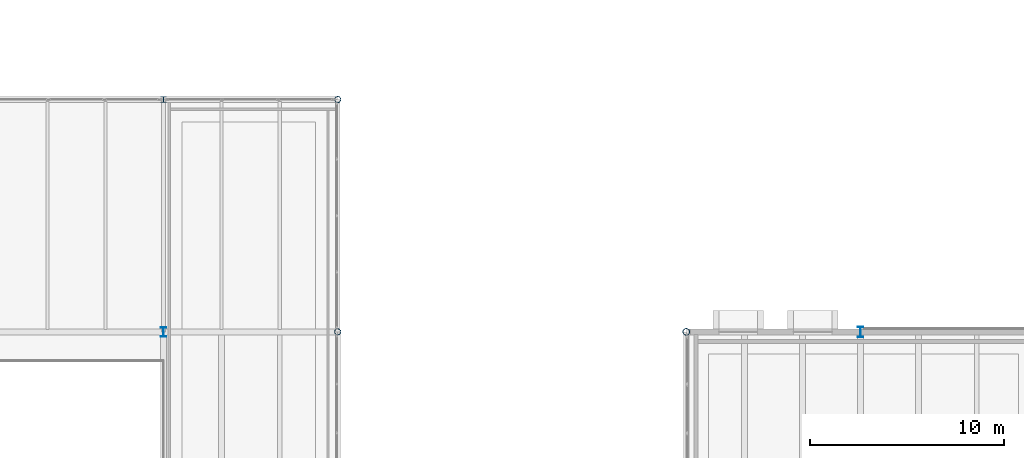
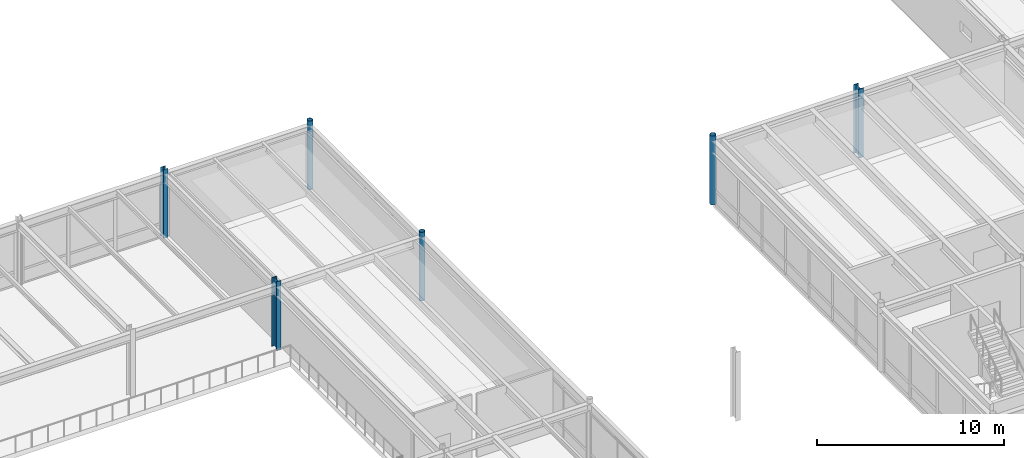
# One storey, part 14 of 127: 6 columns.
"""IFC4 building model written with IfcOpenShell, lengths in metres."""

from ifc_helpers import new_model, si_unit, direction, frame, origin, origin_2d, place, context, subcontext, project, spatial, hollow_circle, i_section, extrude, material, material_profile, profile_set, type_object, element, save


model = new_model("IFC4")

# Units and contexts
model_context = context("Model", 3, precision=1e-05, world=origin(), true_north=direction((0.0, 1.0)))
body_context = subcontext(model_context, "Body", "Model", "MODEL_VIEW")
ifc_project = project(units=[si_unit("LENGTHUNIT", "METRE"), si_unit("AREAUNIT", "SQUARE_METRE"), si_unit("VOLUMEUNIT", "CUBIC_METRE"), si_unit("PLANEANGLEUNIT", "RADIAN"), si_unit("MASSUNIT", "GRAM", prefix="KILO")], contexts=[model_context])

# Site, building, storey
site_placement = place(None, origin())
site = spatial("IfcSite", under=ifc_project, at=site_placement, CompositionType="ELEMENT")
building_placement = place(site_placement, origin())
building = spatial("IfcBuilding", under=site, at=building_placement, Name="Montelvaro Courts of Justice", CompositionType="ELEMENT")
storey_placement = place(building_placement, frame((0.0, 0.0, 5.39990234375)))
storey = spatial("IfcBuildingStorey", under=building, at=storey_placement, Name="L01", CompositionType="ELEMENT", Elevation=5.39990234375)

# Columns
ifc_material = material(Name="Steel S355", Category="steel")
ifc_material_profile_1 = material_profile(ifc_material, hollow_circle(Radius=0.161865234375, WallThickness=0.012451171875, at=origin_2d()), Name="CHS 323.9x12.5")
ifc_profile_set_1 = profile_set([ifc_material_profile_1], Name="Steel S355")
column_type_1 = type_object("IfcColumnType", Name="Col_CHS324", PredefinedType="PILASTER", material=ifc_profile_set_1)
for number, where, z_axis, x_axis, name in (
    (1, (81.0, 96.0, 0.0), (0.0, 0.0, 1.0), (1.0, 0.0, 0.0), "Column C-18 L01 10/H"),
    (2, (81.0, 108.0, 0.0), (0.0, 0.0, 1.0), (1.0, 0.0, 0.0), "Column C-18 L01 10/I"),
):
    element("IfcColumn", number, at=place(storey_placement, frame(where, z_axis=z_axis, x_axis=x_axis)), inside=storey, type_object=column_type_1, Name=name, PredefinedType="PILASTER", context=body_context, shape_type="SweptSolid", body=[
        extrude(hollow_circle(Radius=0.161865234375, WallThickness=0.012451171875, at=origin_2d()), origin(), (0.0, 0.0, 1.0), 4.5),
    ])
ifc_material_profile_2 = material_profile(ifc_material, hollow_circle(Radius=0.177734375, WallThickness=0.01611328125, at=origin_2d()), Name="CHS 355.6x16")
ifc_profile_set_2 = profile_set([ifc_material_profile_2], Name="Steel S355")
column_type_2 = type_object("IfcColumnType", Name="Col_CHS356", PredefinedType="PILASTER", material=ifc_profile_set_2)
column_1_placement = place(storey_placement, frame((99.0, 96.0, 0.0), z_axis=(0.0, 0.0, 1.0), x_axis=(1.0, 0.0, 0.0)))
element("IfcColumn", 3, at=column_1_placement, inside=storey, type_object=column_type_2, Name="Column C-19 L01 12/H", PredefinedType="PILASTER", context=body_context, shape_type="SweptSolid", body=[
    extrude(hollow_circle(Radius=0.177734375, WallThickness=0.01611328125, at=origin_2d()), origin(), (0.0, 0.0, 1.0), 4.5),
])
ifc_material_profile_3 = material_profile(ifc_material, i_section(OverallWidth=0.300048828125, OverallDepth=0.300048828125, WebThickness=0.010986328125, FlangeThickness=0.01904296875, at=origin_2d()), Name="HEB 300")
ifc_profile_set_3 = profile_set([ifc_material_profile_3], Name="Steel S355")
column_type_3 = type_object("IfcColumnType", Name="Col_HEB300", PredefinedType="COLUMN", material=ifc_profile_set_3)
column_2_placement = place(storey_placement, frame((72.0, 108.0, 0.0), z_axis=(0.0, 0.0, 1.0), x_axis=(1.0, 0.0, 0.0)))
element("IfcColumn", 4, at=column_2_placement, inside=storey, type_object=column_type_3, Name="Column C-03 L01 9/I", PredefinedType="COLUMN", context=body_context, shape_type="SweptSolid", body=[
    extrude(i_section(OverallWidth=0.300048828125, OverallDepth=0.300048828125, WebThickness=0.010986328125, FlangeThickness=0.01904296875, at=origin_2d()), origin(), (0.0, 0.0, 1.0), 4.5),
])
ifc_material_profile_4 = material_profile(ifc_material, i_section(OverallWidth=0.300048828125, OverallDepth=0.5, WebThickness=0.014404296875, FlangeThickness=0.028076171875, at=origin_2d()), Name="HEB 500")
ifc_profile_set_4 = profile_set([ifc_material_profile_4], Name="Steel S355")
column_type_4 = type_object("IfcColumnType", Name="Col_HEB500", PredefinedType="COLUMN", material=ifc_profile_set_4)
column_3_placement = place(storey_placement, frame((72.0, 96.0, 0.0), z_axis=(0.0, 0.0, 1.0), x_axis=(1.0, 0.0, 0.0)))
element("IfcColumn", 5, at=column_3_placement, inside=storey, type_object=column_type_4, Name="Column C-09 L01 9/H", PredefinedType="COLUMN", context=body_context, shape_type="SweptSolid", body=[
    extrude(i_section(OverallWidth=0.300048828125, OverallDepth=0.5, WebThickness=0.014404296875, FlangeThickness=0.028076171875, at=origin_2d()), origin(), (0.0, 0.0, 1.0), 4.5),
])
ifc_material_profile_5 = material_profile(ifc_material, i_section(OverallWidth=0.300048828125, OverallDepth=0.550048828125, WebThickness=0.014892578125, FlangeThickness=0.029052734375, at=origin_2d()), Name="HEB 550")
ifc_profile_set_5 = profile_set([ifc_material_profile_5], Name="Steel S355")
column_type_5 = type_object("IfcColumnType", Name="Col_HEB550", PredefinedType="COLUMN", material=ifc_profile_set_5)
column_4_placement = place(storey_placement, frame((108.0, 96.0, 0.0), z_axis=(0.0, 0.0, 1.0), x_axis=(1.0, 0.0, 0.0)))
element("IfcColumn", 6, at=column_4_placement, inside=storey, type_object=column_type_5, Name="Column C-10 L01 13/H", PredefinedType="COLUMN", context=body_context, shape_type="SweptSolid", body=[
    extrude(i_section(OverallWidth=0.300048828125, OverallDepth=0.550048828125, WebThickness=0.014892578125, FlangeThickness=0.029052734375, at=origin_2d()), origin(), (0.0, 0.0, 1.0), 4.5),
])

save(model, "model.ifc")
